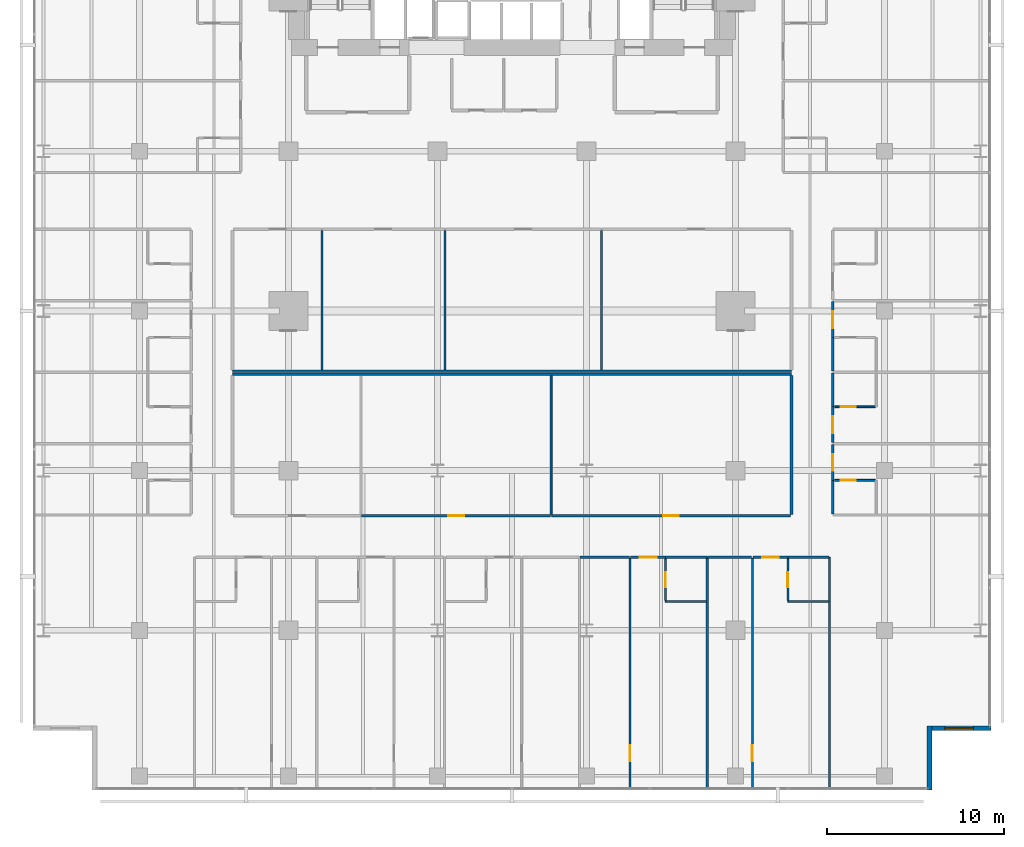
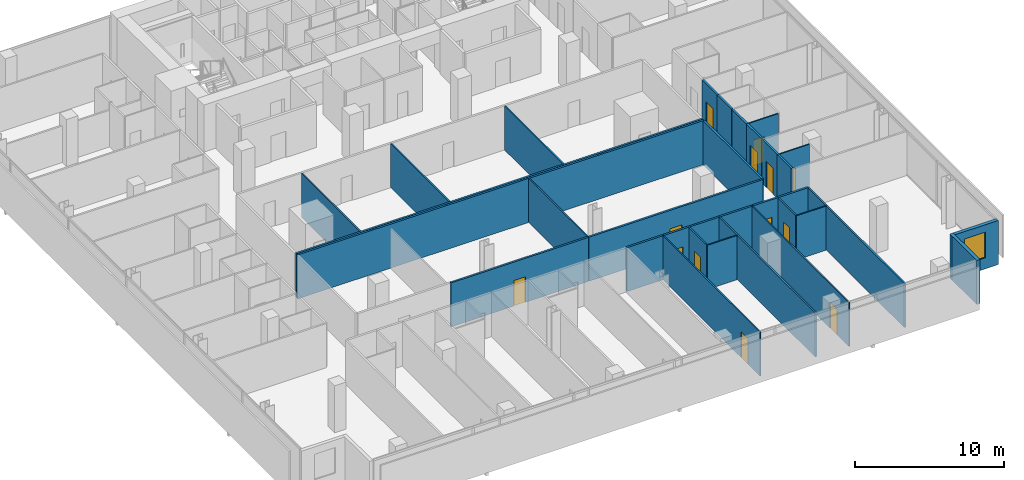
# One storey, part 34 of 41: 33 walls, 13 doors, 1 window, 14 openings.
"""IFC4 building model written with IfcOpenShell, lengths in metres."""

from ifc_helpers import new_model, si_unit, direction, frame, frame_2d, origin, place, context, subcontext, project, spatial, rectangle, extrude, material, layer, layer_set, type_object, element, fill, save


model = new_model("IFC4")

# Units and contexts
model_context = context("Model", 3, precision=1e-05, world=origin(), true_north=direction((0.0, 1.0)))
body_context = subcontext(model_context, "Body", "Model", "MODEL_VIEW")
ifc_project = project(units=[si_unit("LENGTHUNIT", "METRE"), si_unit("AREAUNIT", "SQUARE_METRE"), si_unit("VOLUMEUNIT", "CUBIC_METRE"), si_unit("PLANEANGLEUNIT", "RADIAN"), si_unit("MASSUNIT", "GRAM", prefix="KILO")], contexts=[model_context])

# Site, building, storey
site_placement = place(None, origin())
site = spatial("IfcSite", under=ifc_project, at=site_placement, CompositionType="ELEMENT")
building_placement = place(site_placement, origin())
building = spatial("IfcBuilding", under=site, at=building_placement, Name="Maruvema Waterfront Hotel and Observation Tower", CompositionType="ELEMENT")
storey_placement = place(building_placement, frame((0.0, 0.0, 84.699951171875)))
storey = spatial("IfcBuildingStorey", under=building, at=storey_placement, Name="L20", CompositionType="ELEMENT", Elevation=84.699951171875)

# Walls
ifc_material_1 = material(Name="Twin-stud acoustic gypsum drywall", Category="gypsum")
ifc_layer_1 = layer(ifc_material_1, 0.14990234375, Name="Acoustic Corridor and Suite Demising Wall 150 mm")
ifc_layer_set_1 = layer_set([ifc_layer_1], Name="Twin-stud acoustic gypsum drywall")
wall_type_1 = type_object("IfcWallType", Name="Acoustic Corridor and Suite Demising Wall 150 mm", PredefinedType="PARTITIONING", material=ifc_layer_set_1)
for number, where, z_axis, x_axis, name in (
    (1, (22.050048828125, 23.60009765625, 0.0), (0.0, 0.0, 1.0), (1.0, 0.0, 0.0), "L20 L20-INTN Back Wall 022"),
    (2, (22.050048828125, 23.43994140625, 0.0), (0.0, 0.0, 1.0), (1.0, 0.0, 0.0), "L20 L20-INTS Back Wall 032"),
):
    element("IfcWall", number, at=place(storey_placement, frame(where, z_axis=z_axis, x_axis=x_axis)), inside=storey, type_object=wall_type_1, Name=name, PredefinedType="PARTITIONING", context=body_context, shape_type="SweptSolid", body=[
        extrude(rectangle(XDim=31.5, YDim=0.14990234375, at=frame_2d((15.75, 0.0))), origin(), (0.0, 0.0, 1.0), 3.610107421875),
    ])
wall_1_placement = place(storey_placement, frame((53.550048828125, 15.530029296875, 0.0), z_axis=(0.0, 0.0, 1.0), x_axis=(0.0, 1.0, 0.0)))
element("IfcWall", 3, at=wall_1_placement, inside=storey, type_object=wall_type_1, Name="L20 L20-INTS East Wall 034", PredefinedType="PARTITIONING", context=body_context, shape_type="SweptSolid", body=[
    extrude(rectangle(XDim=7.830078125, YDim=0.14990234375, at=frame_2d((3.9150390625, 0.0))), origin(), (0.0, 0.0, 1.0), 3.610107421875),
])

# Wall, opening, door
wall_2_placement = place(storey_placement, frame((29.324951171875, 15.449951171875, 0.0), z_axis=(0.0, 0.0, 1.0), x_axis=(1.0, 0.0, 0.0)))
wall_2 = element("IfcWall", 4, at=wall_2_placement, inside=storey, type_object=wall_type_1, Name="L20 L20-INTS Front 2 037", PredefinedType="PARTITIONING", context=body_context, shape_type="SweptSolid", body=[
    extrude(rectangle(XDim=10.650146484375, YDim=0.14990234375, at=frame_2d((5.3251953125, 0.0))), origin(), (0.0, 0.0, 1.0), 3.610107421875),
])
opening_1_placement = place(wall_2_placement, frame((4.875, 0.0, 0.0)))
opening_1 = element("IfcOpeningElement", 5, at=opening_1_placement, cuts=wall_2, Name="Opening DR-090", PredefinedType="OPENING", context=body_context, shape_type="SweptSolid", body=[
    extrude(rectangle(XDim=0.89990234375, YDim=2.10009765625, at=frame_2d((0.449951171875, 1.050048828125))), frame((0.0, 0.0849609375, 0.0), z_axis=(0.0, -1.0, 0.0), x_axis=(1.0, 0.0, 0.0)), (0.0, 0.0, 1.0), 0.169921875),
])
ifc_material_2 = material(Name="Solid-core lacquered timber leaf", Category="wood")
door_type_1 = type_object("IfcDoorType", Name="Accessible Toilet and Room Door 900x2100 mm", OperationType="NOTDEFINED", PredefinedType="DOOR", material=ifc_material_2)
door_1_placement = place(opening_1_placement, frame((0.89990234375, 0.0, 0.0), z_axis=(0.0, 0.0, 1.0), x_axis=(-1.0, 0.0, 0.0)))
door_1 = element("IfcDoor", 6, at=door_1_placement, inside=storey, type_object=door_type_1, Name="L20 Tea Kitchenette Door", OperationType="SINGLE_SWING_LEFT", OverallHeight=2.10009765625, OverallWidth=0.89990234375, PredefinedType="DOOR", context=body_context, shape_type="SweptSolid", body=[
    extrude(rectangle(XDim=0.89990234375, YDim=2.10009765625, at=frame_2d((0.449951171875, 1.050048828125))), frame((0.0, 0.02490234375, 0.0), z_axis=(0.0, -1.0, 0.0), x_axis=(1.0, 0.0, 0.0)), (0.0, 0.0, 1.0), 0.050048828125),
])
fill(opening_1, door_1)

wall_3_placement = place(storey_placement, frame((40.034912109375, 15.449951171875, 0.0), z_axis=(0.0, 0.0, 1.0), x_axis=(1.0, 0.0, 0.0)))
wall_3 = element("IfcWall", 7, at=wall_3_placement, inside=storey, type_object=wall_type_1, Name="L20 L20-INTS Front 3 039", PredefinedType="PARTITIONING", context=body_context, shape_type="SweptSolid", body=[
    extrude(rectangle(XDim=13.455078125, YDim=0.14990234375, at=frame_2d((6.7275390625, 0.0))), origin(), (0.0, 0.0, 1.0), 3.610107421875),
])
opening_2_placement = place(wall_3_placement, frame((6.277587890625, 0.0, 0.0)))
opening_2 = element("IfcOpeningElement", 8, at=opening_2_placement, cuts=wall_3, Name="Opening DR-090", PredefinedType="OPENING", context=body_context, shape_type="SweptSolid", body=[
    extrude(rectangle(XDim=0.89990234375, YDim=2.10009765625, at=frame_2d((0.449951171875, 1.050048828125))), frame((0.0, 0.0849609375, 0.0), z_axis=(0.0, -1.0, 0.0), x_axis=(1.0, 0.0, 0.0)), (0.0, 0.0, 1.0), 0.169921875),
])
door_2_placement = place(opening_2_placement, frame((0.89990234375, 0.0, 0.0), z_axis=(0.0, 0.0, 1.0), x_axis=(-1.0, 0.0, 0.0)))
door_2 = element("IfcDoor", 9, at=door_2_placement, inside=storey, type_object=door_type_1, Name="L20 Housekeeping Linen Room Door", OperationType="SINGLE_SWING_RIGHT", OverallHeight=2.10009765625, OverallWidth=0.89990234375, PredefinedType="DOOR", context=body_context, shape_type="SweptSolid", body=[
    extrude(rectangle(XDim=0.89990234375, YDim=2.10009765625, at=frame_2d((0.449951171875, 1.050048828125))), frame((0.0, 0.02490234375, 0.0), z_axis=(0.0, -1.0, 0.0), x_axis=(1.0, 0.0, 0.0)), (0.0, 0.0, 1.0), 0.050048828125),
])
fill(opening_2, door_2)

# Walls
wall_4_placement = place(storey_placement, frame((46.449951171875, 13.1201171875, 0.0), z_axis=(0.0, 0.0, 1.0), x_axis=(1.0, 0.0, 0.0)))
element("IfcWall", 10, at=wall_4_placement, inside=storey, type_object=wall_type_1, Name="L20 Bath L20-S4 Back Wall 063", PredefinedType="PARTITIONING", context=body_context, shape_type="SweptSolid", body=[
    extrude(rectangle(XDim=2.330078125, YDim=0.14990234375, at=frame_2d((1.1650390625, 0.0))), origin(), (0.0, 0.0, 1.0), 3.610107421875),
])
wall_5_placement = place(storey_placement, frame((41.6201171875, 13.1201171875, 0.0), z_axis=(0.0, 0.0, 1.0), x_axis=(1.0, 0.0, 0.0)))
element("IfcWall", 11, at=wall_5_placement, inside=storey, type_object=wall_type_1, Name="L20 Bedroom L20-S4 Back Wall 066", PredefinedType="PARTITIONING", context=body_context, shape_type="SweptSolid", body=[
    extrude(rectangle(XDim=2.789794921875, YDim=0.14990234375, at=frame_2d((1.39501953125, 0.0))), origin(), (0.0, 0.0, 1.0), 3.610107421875),
])

# Wall, opening, door
wall_6_placement = place(storey_placement, frame((44.489990234375, 13.1201171875, 0.0), z_axis=(0.0, 0.0, 1.0), x_axis=(1.0, 0.0, 0.0)))
wall_6 = element("IfcWall", 12, at=wall_6_placement, inside=storey, type_object=wall_type_1, Name="L20 Unit L20-S4 Corridor Wall 067", PredefinedType="PARTITIONING", context=body_context, shape_type="SweptSolid", body=[
    extrude(rectangle(XDim=1.9599609375, YDim=0.14990234375, at=frame_2d((0.97998046875, 0.0))), origin(), (0.0, 0.0, 1.0), 3.610107421875),
])
opening_3_placement = place(wall_6_placement, frame((0.5048828125, 0.0, 0.0)))
opening_3 = element("IfcOpeningElement", 13, at=opening_3_placement, cuts=wall_6, Name="Opening DR-095", PredefinedType="OPENING", context=body_context, shape_type="SweptSolid", body=[
    extrude(rectangle(XDim=0.949951171875, YDim=2.14990234375, at=frame_2d((0.47509765625, 1.074951171875))), frame((0.0, 0.0849609375, 0.0), z_axis=(0.0, -1.0, 0.0), x_axis=(1.0, 0.0, 0.0)), (0.0, 0.0, 1.0), 0.169921875),
])
ifc_material_3 = material(Name="Acoustic solid-core hardwood timber leaf", Category="wood")
door_type_2 = type_object("IfcDoorType", Name="Guestroom Entrance Fire Door 950x2150 mm", OperationType="NOTDEFINED", PredefinedType="DOOR", material=ifc_material_3)
door_3_placement = place(opening_3_placement, frame((0.949951171875, 0.0, 0.0), z_axis=(0.0, 0.0, 1.0), x_axis=(-1.0, 0.0, 0.0)))
door_3 = element("IfcDoor", 14, at=door_3_placement, inside=storey, type_object=door_type_2, Name="L20 Unit L20-S4 Entrance Door", OperationType="SINGLE_SWING_LEFT", OverallHeight=2.14990234375, OverallWidth=0.949951171875, PredefinedType="DOOR", context=body_context, shape_type="SweptSolid", body=[
    extrude(rectangle(XDim=0.949951171875, YDim=2.14990234375, at=frame_2d((0.47509765625, 1.074951171875))), frame((0.0, 0.02490234375, 0.0), z_axis=(0.0, -1.0, 0.0), x_axis=(1.0, 0.0, 0.0)), (0.0, 0.0, 1.0), 0.050048828125),
])
fill(opening_3, door_3)

# Walls
wall_7_placement = place(storey_placement, frame((53.35009765625, 13.1201171875, 0.0), z_axis=(0.0, 0.0, 1.0), x_axis=(1.0, 0.0, 0.0)))
element("IfcWall", 15, at=wall_7_placement, inside=storey, type_object=wall_type_1, Name="L20 Bath L20-S5 Back Wall 070", PredefinedType="PARTITIONING", context=body_context, shape_type="SweptSolid", body=[
    extrude(rectangle(XDim=2.329833984375, YDim=0.14990234375, at=frame_2d((1.1650390625, 0.0))), origin(), (0.0, 0.0, 1.0), 3.610107421875),
])
wall_8_placement = place(storey_placement, frame((48.820068359375, 13.1201171875, 0.0), z_axis=(0.0, 0.0, 1.0), x_axis=(1.0, 0.0, 0.0)))
element("IfcWall", 16, at=wall_8_placement, inside=storey, type_object=wall_type_1, Name="L20 Bedroom L20-S5 Back Wall 073", PredefinedType="PARTITIONING", context=body_context, shape_type="SweptSolid", body=[
    extrude(rectangle(XDim=2.489990234375, YDim=0.14990234375, at=frame_2d((1.2451171875, 0.0))), origin(), (0.0, 0.0, 1.0), 3.610107421875),
])

# Wall, opening, door
wall_9_placement = place(storey_placement, frame((51.389892578125, 13.1201171875, 0.0), z_axis=(0.0, 0.0, 1.0), x_axis=(1.0, 0.0, 0.0)))
wall_9 = element("IfcWall", 17, at=wall_9_placement, inside=storey, type_object=wall_type_1, Name="L20 Unit L20-S5 Corridor Wall 074", PredefinedType="PARTITIONING", context=body_context, shape_type="SweptSolid", body=[
    extrude(rectangle(XDim=1.960205078125, YDim=0.14990234375, at=frame_2d((0.97998046875, 0.0))), origin(), (0.0, 0.0, 1.0), 3.610107421875),
])
opening_4_placement = place(wall_9_placement, frame((0.5048828125, 0.0, 0.0)))
opening_4 = element("IfcOpeningElement", 18, at=opening_4_placement, cuts=wall_9, Name="Opening DR-095", PredefinedType="OPENING", context=body_context, shape_type="SweptSolid", body=[
    extrude(rectangle(XDim=0.949951171875, YDim=2.14990234375, at=frame_2d((0.47509765625, 1.074951171875))), frame((0.0, 0.0849609375, 0.0), z_axis=(0.0, -1.0, 0.0), x_axis=(1.0, 0.0, 0.0)), (0.0, 0.0, 1.0), 0.169921875),
])
door_4_placement = place(opening_4_placement, frame((0.949951171875, 0.0, 0.0), z_axis=(0.0, 0.0, 1.0), x_axis=(-1.0, 0.0, 0.0)))
door_4 = element("IfcDoor", 19, at=door_4_placement, inside=storey, type_object=door_type_2, Name="L20 Unit L20-S5 Entrance Door", OperationType="SINGLE_SWING_RIGHT", OverallHeight=2.14990234375, OverallWidth=0.949951171875, PredefinedType="DOOR", context=body_context, shape_type="SweptSolid", body=[
    extrude(rectangle(XDim=0.949951171875, YDim=2.14990234375, at=frame_2d((0.47509765625, 1.074951171875))), frame((0.0, 0.02490234375, 0.0), z_axis=(0.0, -1.0, 0.0), x_axis=(1.0, 0.0, 0.0)), (0.0, 0.0, 1.0), 0.050048828125),
])
fill(opening_4, door_4)

# Wall
wall_10_placement = place(storey_placement, frame((55.8798828125, 15.56005859375, 0.0), z_axis=(0.0, 0.0, 1.0), x_axis=(0.0, 1.0, 0.0)))
element("IfcWall", 20, at=wall_10_placement, inside=storey, type_object=wall_type_1, Name="L20 Bath L20-E1 Wall 084", PredefinedType="PARTITIONING", context=body_context, shape_type="SweptSolid", body=[
    extrude(rectangle(XDim=1.889892578125, YDim=0.14990234375, at=frame_2d((0.94482421875, 0.0))), origin(), (0.0, 0.0, 1.0), 3.610107421875),
])

# Wall, opening, door
wall_11_placement = place(storey_placement, frame((55.8798828125, 17.449951171875, 0.0), z_axis=(0.0, 0.0, 1.0), x_axis=(0.0, 1.0, 0.0)))
wall_11 = element("IfcWall", 21, at=wall_11_placement, inside=storey, type_object=wall_type_1, Name="L20 Room L20-E1 Corridor Wall 085", PredefinedType="PARTITIONING", context=body_context, shape_type="SweptSolid", body=[
    extrude(rectangle(XDim=2.010009765625, YDim=0.14990234375, at=frame_2d((1.0048828125, 0.0))), origin(), (0.0, 0.0, 1.0), 3.610107421875),
])
opening_5_placement = place(wall_11_placement, frame((0.530029296875, 0.0, 0.0)))
opening_5 = element("IfcOpeningElement", 22, at=opening_5_placement, cuts=wall_11, Name="Opening DR-095", PredefinedType="OPENING", context=body_context, shape_type="SweptSolid", body=[
    extrude(rectangle(XDim=0.949951171875, YDim=2.14990234375, at=frame_2d((0.47509765625, 1.074951171875))), frame((0.0, 0.0849609375, 0.0), z_axis=(0.0, -1.0, 0.0), x_axis=(1.0, 0.0, 0.0)), (0.0, 0.0, 1.0), 0.169921875),
])
door_5_placement = place(opening_5_placement, frame((0.949951171875, 0.0, 0.0), z_axis=(0.0, 0.0, 1.0), x_axis=(-1.0, 0.0, 0.0)))
door_5 = element("IfcDoor", 23, at=door_5_placement, inside=storey, type_object=door_type_2, Name="L20 Room L20-E1 Entrance Door", OperationType="SINGLE_SWING_LEFT", OverallHeight=2.14990234375, OverallWidth=0.949951171875, PredefinedType="DOOR", context=body_context, shape_type="SweptSolid", body=[
    extrude(rectangle(XDim=0.949951171875, YDim=2.14990234375, at=frame_2d((0.47509765625, 1.074951171875))), frame((0.0, 0.02490234375, 0.0), z_axis=(0.0, -1.0, 0.0), x_axis=(1.0, 0.0, 0.0)), (0.0, 0.0, 1.0), 0.050048828125),
])
fill(opening_5, door_5)

wall_12_placement = place(storey_placement, frame((55.8798828125, 19.580078125, 0.0), z_axis=(0.0, 0.0, 1.0), x_axis=(0.0, 1.0, 0.0)))
wall_12 = element("IfcWall", 24, at=wall_12_placement, inside=storey, type_object=wall_type_1, Name="L20 Room L20-E2 Corridor Wall 094", PredefinedType="PARTITIONING", context=body_context, shape_type="SweptSolid", body=[
    extrude(rectangle(XDim=2.02001953125, YDim=0.14990234375, at=frame_2d((1.010009765625, 0.0))), origin(), (0.0, 0.0, 1.0), 3.610107421875),
])
opening_6_placement = place(wall_12_placement, frame((0.534912109375, 0.0, 0.0)))
opening_6 = element("IfcOpeningElement", 25, at=opening_6_placement, cuts=wall_12, Name="Opening DR-095", PredefinedType="OPENING", context=body_context, shape_type="SweptSolid", body=[
    extrude(rectangle(XDim=0.949951171875, YDim=2.14990234375, at=frame_2d((0.47509765625, 1.074951171875))), frame((0.0, 0.0849609375, 0.0), z_axis=(0.0, -1.0, 0.0), x_axis=(1.0, 0.0, 0.0)), (0.0, 0.0, 1.0), 0.169921875),
])
door_6_placement = place(opening_6_placement, frame((0.949951171875, 0.0, 0.0), z_axis=(0.0, 0.0, 1.0), x_axis=(-1.0, 0.0, 0.0)))
door_6 = element("IfcDoor", 26, at=door_6_placement, inside=storey, type_object=door_type_2, Name="L20 Room L20-E2 Entrance Door", OperationType="SINGLE_SWING_LEFT", OverallHeight=2.14990234375, OverallWidth=0.949951171875, PredefinedType="DOOR", context=body_context, shape_type="SweptSolid", body=[
    extrude(rectangle(XDim=0.949951171875, YDim=2.14990234375, at=frame_2d((0.47509765625, 1.074951171875))), frame((0.0, 0.02490234375, 0.0), z_axis=(0.0, -1.0, 0.0), x_axis=(1.0, 0.0, 0.0)), (0.0, 0.0, 1.0), 0.050048828125),
])
fill(opening_6, door_6)

# Walls
for number, where, z_axis, x_axis, name in (
    (27, (55.8798828125, 21.60009765625, 0.0), (0.0, 0.0, 1.0), (0.0, 1.0, 0.0), "L20 Bath L20-E2 Wall 095"),
    (28, (55.8798828125, 23.610107421875, 0.0), (0.0, 0.0, 1.0), (0.0, 1.0, 0.0), "L20 Bath L20-E3 Wall 104"),
):
    element("IfcWall", number, at=place(storey_placement, frame(where, z_axis=z_axis, x_axis=x_axis)), inside=storey, type_object=wall_type_1, Name=name, PredefinedType="PARTITIONING", context=body_context, shape_type="SweptSolid", body=[
        extrude(rectangle(XDim=1.889892578125, YDim=0.14990234375, at=frame_2d((0.94482421875, 0.0))), origin(), (0.0, 0.0, 1.0), 3.610107421875),
    ])

# Wall, opening, door
wall_13_placement = place(storey_placement, frame((55.8798828125, 25.5, 0.0), z_axis=(0.0, 0.0, 1.0), x_axis=(0.0, 1.0, 0.0)))
wall_13 = element("IfcWall", 29, at=wall_13_placement, inside=storey, type_object=wall_type_1, Name="L20 Room L20-E3 Corridor Wall 105", PredefinedType="PARTITIONING", context=body_context, shape_type="SweptSolid", body=[
    extrude(rectangle(XDim=2.02001953125, YDim=0.14990234375, at=frame_2d((1.010009765625, 0.0))), origin(), (0.0, 0.0, 1.0), 3.610107421875),
])
opening_7_placement = place(wall_13_placement, frame((0.534912109375, 0.0, 0.0)))
opening_7 = element("IfcOpeningElement", 30, at=opening_7_placement, cuts=wall_13, Name="Opening DR-095", PredefinedType="OPENING", context=body_context, shape_type="SweptSolid", body=[
    extrude(rectangle(XDim=0.949951171875, YDim=2.14990234375, at=frame_2d((0.47509765625, 1.074951171875))), frame((0.0, 0.0849609375, 0.0), z_axis=(0.0, -1.0, 0.0), x_axis=(1.0, 0.0, 0.0)), (0.0, 0.0, 1.0), 0.169921875),
])
door_7_placement = place(opening_7_placement, frame((0.949951171875, 0.0, 0.0), z_axis=(0.0, 0.0, 1.0), x_axis=(-1.0, 0.0, 0.0)))
door_7 = element("IfcDoor", 31, at=door_7_placement, inside=storey, type_object=door_type_2, Name="L20 Room L20-E3 Entrance Door", OperationType="SINGLE_SWING_LEFT", OverallHeight=2.14990234375, OverallWidth=0.949951171875, PredefinedType="DOOR", context=body_context, shape_type="SweptSolid", body=[
    extrude(rectangle(XDim=0.949951171875, YDim=2.14990234375, at=frame_2d((0.47509765625, 1.074951171875))), frame((0.0, 0.02490234375, 0.0), z_axis=(0.0, -1.0, 0.0), x_axis=(1.0, 0.0, 0.0)), (0.0, 0.0, 1.0), 0.050048828125),
])
fill(opening_7, door_7)

# Walls
ifc_material_4 = material(Name="Moisture-resistant cement-board drywall", Category="gypsum")
ifc_layer_2 = layer(ifc_material_4, 0.10009765625, Name="En-Suite Moisture-Resistant Partition 100 mm")
ifc_layer_set_2 = layer_set([ifc_layer_2], Name="Moisture-resistant cement-board drywall")
wall_type_2 = type_object("IfcWallType", Name="En-Suite Moisture-Resistant Partition 100 mm", PredefinedType="PARTITIONING", material=ifc_layer_set_2)
for number, where, z_axis, x_axis, name in (
    (32, (27.090087890625, 23.679931640625, 0.0), (0.0, 0.0, 1.0), (0.0, 1.0, 0.0), "L20 L20-INTN Split 1 026"),
    (33, (34.02001953125, 23.679931640625, 0.0), (0.0, 0.0, 1.0), (0.0, 1.0, 0.0), "L20 L20-INTN Split 2 028"),
    (34, (42.840087890625, 23.679931640625, 0.0), (0.0, 0.0, 1.0), (0.0, 1.0, 0.0), "L20 L20-INTN Split 3 030"),
):
    element("IfcWall", number, at=place(storey_placement, frame(where, z_axis=z_axis, x_axis=x_axis)), inside=storey, type_object=wall_type_2, Name=name, PredefinedType="PARTITIONING", context=body_context, shape_type="SweptSolid", body=[
        extrude(rectangle(XDim=7.840087890625, YDim=0.10009765625, at=frame_2d((3.919921875, 0.0))), origin(), (0.0, 0.0, 1.0), 3.610107421875),
    ])
wall_14_placement = place(storey_placement, frame((40.0048828125, 15.530029296875, 0.0), z_axis=(0.0, 0.0, 1.0), x_axis=(0.0, 1.0, 0.0)))
element("IfcWall", 35, at=wall_14_placement, inside=storey, type_object=wall_type_2, Name="L20 L20-INTS Split 2 038", PredefinedType="PARTITIONING", context=body_context, shape_type="SweptSolid", body=[
    extrude(rectangle(XDim=7.830078125, YDim=0.10009765625, at=frame_2d((3.9150390625, 0.0))), origin(), (0.0, 0.0, 1.0), 3.610107421875),
])
wall_15_placement = place(storey_placement, frame((46.449951171875, 10.6201171875, 0.0), z_axis=(0.0, 0.0, 1.0), x_axis=(1.0, 0.0, 0.0)))
element("IfcWall", 36, at=wall_15_placement, inside=storey, type_object=wall_type_2, Name="L20 En-Suite L20-S4 South 064", PredefinedType="PARTITIONING", context=body_context, shape_type="SweptSolid", body=[
    extrude(rectangle(XDim=2.31005859375, YDim=0.10009765625, at=frame_2d((1.155029296875, 0.0))), origin(), (0.0, 0.0, 1.0), 3.610107421875),
])

# Wall, opening, door
wall_16_placement = place(storey_placement, frame((46.449951171875, 10.679931640625, 0.0), z_axis=(0.0, 0.0, 1.0), x_axis=(0.0, 1.0, 0.0)))
wall_16 = element("IfcWall", 37, at=wall_16_placement, inside=storey, type_object=wall_type_2, Name="L20 En-Suite L20-S4 West 065", PredefinedType="PARTITIONING", context=body_context, shape_type="SweptSolid", body=[
    extrude(rectangle(XDim=2.340087890625, YDim=0.10009765625, at=frame_2d((1.169921875, 0.0))), origin(), (0.0, 0.0, 1.0), 3.610107421875),
])
opening_8_placement = place(wall_16_placement, frame((0.7451171875, 0.0, 0.0)))
opening_8 = element("IfcOpeningElement", 38, at=opening_8_placement, cuts=wall_16, Name="Opening DR-085", PredefinedType="OPENING", context=body_context, shape_type="SweptSolid", body=[
    extrude(rectangle(XDim=0.85009765625, YDim=2.10009765625, at=frame_2d((0.425048828125, 1.050048828125))), frame((0.0, 0.06005859375, 0.0), z_axis=(0.0, -1.0, 0.0), x_axis=(1.0, 0.0, 0.0)), (0.0, 0.0, 1.0), 0.1201171875),
])
ifc_material_5 = material(Name="Moisture-resistant solid timber leaf", Category="wood")
door_type_3 = type_object("IfcDoorType", Name="En-Suite Bathroom Door 850x2100 mm", OperationType="NOTDEFINED", PredefinedType="DOOR", material=ifc_material_5)
door_8_placement = place(opening_8_placement, origin())
door_8 = element("IfcDoor", 39, at=door_8_placement, inside=storey, type_object=door_type_3, Name="L20 En-Suite L20-S4 Door", OperationType="SINGLE_SWING_RIGHT", OverallHeight=2.10009765625, OverallWidth=0.85009765625, PredefinedType="DOOR", context=body_context, shape_type="SweptSolid", body=[
    extrude(rectangle(XDim=0.85009765625, YDim=2.10009765625, at=frame_2d((0.425048828125, 1.050048828125))), frame((0.0, 0.02490234375, 0.0), z_axis=(0.0, -1.0, 0.0), x_axis=(1.0, 0.0, 0.0)), (0.0, 0.0, 1.0), 0.050048828125),
])
fill(opening_8, door_8)

wall_17_placement = place(storey_placement, frame((44.449951171875, 0.030029296875, 0.0), z_axis=(0.0, 0.0, 1.0), x_axis=(0.0, 1.0, 0.0)))
wall_17 = element("IfcWall", 40, at=wall_17_placement, inside=storey, type_object=wall_type_2, Name="L20 Suite L20-S4 Split 068", PredefinedType="PARTITIONING", context=body_context, shape_type="SweptSolid", body=[
    extrude(rectangle(XDim=13.030029296875, YDim=0.10009765625, at=frame_2d((6.51513671875, 0.0))), origin(), (0.0, 0.0, 1.0), 3.610107421875),
])
opening_9_placement = place(wall_17_placement, frame((1.60009765625, 0.0, 0.0)))
opening_9 = element("IfcOpeningElement", 41, at=opening_9_placement, cuts=wall_17, Name="Opening DR-090", PredefinedType="OPENING", context=body_context, shape_type="SweptSolid", body=[
    extrude(rectangle(XDim=0.89990234375, YDim=2.10009765625, at=frame_2d((0.449951171875, 1.050048828125))), frame((0.0, 0.06005859375, 0.0), z_axis=(0.0, -1.0, 0.0), x_axis=(1.0, 0.0, 0.0)), (0.0, 0.0, 1.0), 0.1201171875),
])
door_9_placement = place(opening_9_placement, frame((0.89990234375, 0.0, 0.0), z_axis=(0.0, 0.0, 1.0), x_axis=(-1.0, 0.0, 0.0)))
door_9 = element("IfcDoor", 42, at=door_9_placement, inside=storey, type_object=door_type_1, Name="L20 Suite L20-S4 Bedroom Door", OperationType="SINGLE_SWING_RIGHT", OverallHeight=2.10009765625, OverallWidth=0.89990234375, PredefinedType="DOOR", context=body_context, shape_type="SweptSolid", body=[
    extrude(rectangle(XDim=0.89990234375, YDim=2.10009765625, at=frame_2d((0.449951171875, 1.050048828125))), frame((0.0, 0.02490234375, 0.0), z_axis=(0.0, -1.0, 0.0), x_axis=(1.0, 0.0, 0.0)), (0.0, 0.0, 1.0), 0.050048828125),
])
fill(opening_9, door_9)

# Wall
wall_18_placement = place(storey_placement, frame((53.35009765625, 10.6201171875, 0.0), z_axis=(0.0, 0.0, 1.0), x_axis=(1.0, 0.0, 0.0)))
element("IfcWall", 43, at=wall_18_placement, inside=storey, type_object=wall_type_2, Name="L20 En-Suite L20-S5 South 071", PredefinedType="PARTITIONING", context=body_context, shape_type="SweptSolid", body=[
    extrude(rectangle(XDim=2.309814453125, YDim=0.10009765625, at=frame_2d((1.15478515625, 0.0))), origin(), (0.0, 0.0, 1.0), 3.610107421875),
])

# Wall, opening, door
wall_19_placement = place(storey_placement, frame((53.35009765625, 10.679931640625, 0.0), z_axis=(0.0, 0.0, 1.0), x_axis=(0.0, 1.0, 0.0)))
wall_19 = element("IfcWall", 44, at=wall_19_placement, inside=storey, type_object=wall_type_2, Name="L20 En-Suite L20-S5 West 072", PredefinedType="PARTITIONING", context=body_context, shape_type="SweptSolid", body=[
    extrude(rectangle(XDim=2.340087890625, YDim=0.10009765625, at=frame_2d((1.169921875, 0.0))), origin(), (0.0, 0.0, 1.0), 3.610107421875),
])
opening_10_placement = place(wall_19_placement, frame((0.7451171875, 0.0, 0.0)))
opening_10 = element("IfcOpeningElement", 45, at=opening_10_placement, cuts=wall_19, Name="Opening DR-085", PredefinedType="OPENING", context=body_context, shape_type="SweptSolid", body=[
    extrude(rectangle(XDim=0.85009765625, YDim=2.10009765625, at=frame_2d((0.425048828125, 1.050048828125))), frame((0.0, 0.06005859375, 0.0), z_axis=(0.0, -1.0, 0.0), x_axis=(1.0, 0.0, 0.0)), (0.0, 0.0, 1.0), 0.1201171875),
])
door_10_placement = place(opening_10_placement, origin())
door_10 = element("IfcDoor", 46, at=door_10_placement, inside=storey, type_object=door_type_3, Name="L20 En-Suite L20-S5 Door", OperationType="SINGLE_SWING_LEFT", OverallHeight=2.10009765625, OverallWidth=0.85009765625, PredefinedType="DOOR", context=body_context, shape_type="SweptSolid", body=[
    extrude(rectangle(XDim=0.85009765625, YDim=2.10009765625, at=frame_2d((0.425048828125, 1.050048828125))), frame((0.0, 0.02490234375, 0.0), z_axis=(0.0, -1.0, 0.0), x_axis=(1.0, 0.0, 0.0)), (0.0, 0.0, 1.0), 0.050048828125),
])
fill(opening_10, door_10)

wall_20_placement = place(storey_placement, frame((51.35009765625, 0.030029296875, 0.0), z_axis=(0.0, 0.0, 1.0), x_axis=(0.0, 1.0, 0.0)))
wall_20 = element("IfcWall", 47, at=wall_20_placement, inside=storey, type_object=wall_type_2, Name="L20 Suite L20-S5 Split 075", PredefinedType="PARTITIONING", context=body_context, shape_type="SweptSolid", body=[
    extrude(rectangle(XDim=13.030029296875, YDim=0.10009765625, at=frame_2d((6.51513671875, 0.0))), origin(), (0.0, 0.0, 1.0), 3.610107421875),
])
opening_11_placement = place(wall_20_placement, frame((1.60009765625, 0.0, 0.0)))
opening_11 = element("IfcOpeningElement", 48, at=opening_11_placement, cuts=wall_20, Name="Opening DR-090", PredefinedType="OPENING", context=body_context, shape_type="SweptSolid", body=[
    extrude(rectangle(XDim=0.89990234375, YDim=2.10009765625, at=frame_2d((0.449951171875, 1.050048828125))), frame((0.0, 0.06005859375, 0.0), z_axis=(0.0, -1.0, 0.0), x_axis=(1.0, 0.0, 0.0)), (0.0, 0.0, 1.0), 0.1201171875),
])
door_11_placement = place(opening_11_placement, frame((0.89990234375, 0.0, 0.0), z_axis=(0.0, 0.0, 1.0), x_axis=(-1.0, 0.0, 0.0)))
door_11 = element("IfcDoor", 49, at=door_11_placement, inside=storey, type_object=door_type_1, Name="L20 Suite L20-S5 Bedroom Door", OperationType="SINGLE_SWING_LEFT", OverallHeight=2.10009765625, OverallWidth=0.89990234375, PredefinedType="DOOR", context=body_context, shape_type="SweptSolid", body=[
    extrude(rectangle(XDim=0.89990234375, YDim=2.10009765625, at=frame_2d((0.449951171875, 1.050048828125))), frame((0.0, 0.02490234375, 0.0), z_axis=(0.0, -1.0, 0.0), x_axis=(1.0, 0.0, 0.0)), (0.0, 0.0, 1.0), 0.050048828125),
])
fill(opening_11, door_11)

wall_21_placement = place(storey_placement, frame((55.97998046875, 17.449951171875, 0.0), z_axis=(0.0, 0.0, 1.0), x_axis=(1.0, 0.0, 0.0)))
wall_21 = element("IfcWall", 50, at=wall_21_placement, inside=storey, type_object=wall_type_2, Name="L20 En-Suite L20-E1 N 087", PredefinedType="PARTITIONING", context=body_context, shape_type="SweptSolid", body=[
    extrude(rectangle(XDim=2.300048828125, YDim=0.10009765625, at=frame_2d((1.14990234375, 0.0))), origin(), (0.0, 0.0, 1.0), 3.610107421875),
])
opening_12_placement = place(wall_21_placement, frame((0.35009765625, 0.0, 0.0)))
opening_12 = element("IfcOpeningElement", 51, at=opening_12_placement, cuts=wall_21, Name="Opening DR-085", PredefinedType="OPENING", context=body_context, shape_type="SweptSolid", body=[
    extrude(rectangle(XDim=0.85009765625, YDim=2.10009765625, at=frame_2d((0.425048828125, 1.050048828125))), frame((0.0, 0.06005859375, 0.0), z_axis=(0.0, -1.0, 0.0), x_axis=(1.0, 0.0, 0.0)), (0.0, 0.0, 1.0), 0.1201171875),
])
door_12_placement = place(opening_12_placement, origin())
door_12 = element("IfcDoor", 52, at=door_12_placement, inside=storey, type_object=door_type_3, Name="L20 En-Suite L20-E1 Door", OperationType="SINGLE_SWING_RIGHT", OverallHeight=2.10009765625, OverallWidth=0.85009765625, PredefinedType="DOOR", context=body_context, shape_type="SweptSolid", body=[
    extrude(rectangle(XDim=0.85009765625, YDim=2.10009765625, at=frame_2d((0.425048828125, 1.050048828125))), frame((0.0, 0.02490234375, 0.0), z_axis=(0.0, -1.0, 0.0), x_axis=(1.0, 0.0, 0.0)), (0.0, 0.0, 1.0), 0.050048828125),
])
fill(opening_12, door_12)

wall_22_placement = place(storey_placement, frame((55.97998046875, 21.60009765625, 0.0), z_axis=(0.0, 0.0, 1.0), x_axis=(1.0, 0.0, 0.0)))
wall_22 = element("IfcWall", 53, at=wall_22_placement, inside=storey, type_object=wall_type_2, Name="L20 En-Suite L20-E2 S 097", PredefinedType="PARTITIONING", context=body_context, shape_type="SweptSolid", body=[
    extrude(rectangle(XDim=2.300048828125, YDim=0.10009765625, at=frame_2d((1.14990234375, 0.0))), origin(), (0.0, 0.0, 1.0), 3.610107421875),
])
opening_13_placement = place(wall_22_placement, frame((0.35009765625, 0.0, 0.0)))
opening_13 = element("IfcOpeningElement", 54, at=opening_13_placement, cuts=wall_22, Name="Opening DR-085", PredefinedType="OPENING", context=body_context, shape_type="SweptSolid", body=[
    extrude(rectangle(XDim=0.85009765625, YDim=2.10009765625, at=frame_2d((0.425048828125, 1.050048828125))), frame((0.0, 0.06005859375, 0.0), z_axis=(0.0, -1.0, 0.0), x_axis=(1.0, 0.0, 0.0)), (0.0, 0.0, 1.0), 0.1201171875),
])
door_13_placement = place(opening_13_placement, frame((0.85009765625, 0.0, 0.0), z_axis=(0.0, 0.0, 1.0), x_axis=(-1.0, 0.0, 0.0)))
door_13 = element("IfcDoor", 55, at=door_13_placement, inside=storey, type_object=door_type_3, Name="L20 En-Suite L20-E2 Door", OperationType="SINGLE_SWING_RIGHT", OverallHeight=2.10009765625, OverallWidth=0.85009765625, PredefinedType="DOOR", context=body_context, shape_type="SweptSolid", body=[
    extrude(rectangle(XDim=0.85009765625, YDim=2.10009765625, at=frame_2d((0.425048828125, 1.050048828125))), frame((0.0, 0.02490234375, 0.0), z_axis=(0.0, -1.0, 0.0), x_axis=(1.0, 0.0, 0.0)), (0.0, 0.0, 1.0), 0.050048828125),
])
fill(opening_13, door_13)

# Wall
ifc_material_6 = material(Name="Precast concrete C45/55 with honed Pernambuco granite facing", Category="masonry")
ifc_layer_3 = layer(ifc_material_6, 0.260009765625, Name="Exterior Granite Clad Spandrel and Pier Wall 260 mm")
ifc_layer_set_3 = layer_set([ifc_layer_3], Name="Precast concrete C45/55 with honed Pernambuco granite facing")
wall_type_3 = type_object("IfcWallType", Name="Exterior Granite Clad Spandrel and Pier Wall 260 mm", PredefinedType="SOLIDWALL", material=ifc_layer_set_3)
wall_23_placement = place(storey_placement, frame((61.330078125, 3.60009765625, 0.0), z_axis=(0.0, 0.0, 1.0), x_axis=(0.0, -1.0, 0.0)))
element("IfcWall", 56, at=wall_23_placement, inside=storey, type_object=wall_type_3, Name="L20 Corner Notch Granite Pier Wall SE1", PredefinedType="SOLIDWALL", context=body_context, shape_type="SweptSolid", body=[
    extrude(rectangle(XDim=3.60009765625, YDim=0.260009765625, at=frame_2d((1.800048828125, 0.0))), origin(), (0.0, 0.0, 1.0), 3.610107421875),
])

# Wall, opening, window
wall_24_placement = place(storey_placement, frame((64.800048828125, 3.469970703125, 0.0), z_axis=(0.0, 0.0, 1.0), x_axis=(-1.0, 0.0, 0.0)))
wall_24 = element("IfcWall", 57, at=wall_24_placement, inside=storey, type_object=wall_type_3, Name="L20 Corner Notch Granite Pier Wall SE2", PredefinedType="SOLIDWALL", context=body_context, shape_type="SweptSolid", body=[
    extrude(rectangle(XDim=3.60009765625, YDim=0.260009765625, at=frame_2d((1.800048828125, 0.0))), origin(), (0.0, 0.0, 1.0), 3.610107421875),
])
opening_14_placement = place(wall_24_placement, frame((1.0, 0.0, 0.89990234375)))
opening_14 = element("IfcOpeningElement", 58, at=opening_14_placement, cuts=wall_24, Name="Opening WN-01", PredefinedType="OPENING", context=body_context, shape_type="SweptSolid", body=[
    extrude(rectangle(XDim=1.60009765625, YDim=2.10009765625, at=frame_2d((0.800048828125, 1.050048828125))), frame((0.0, 0.14013671875, 0.0), z_axis=(0.0, -1.0, 0.0), x_axis=(1.0, 0.0, 0.0)), (0.0, 0.0, 1.0), 0.280029296875),
])
ifc_material_7 = material(Name="Anodised bronze aluminium frame with laminated low-E glass", Category="aluminium")
window_type = type_object("IfcWindowType", Name="Corner Notch Feature Window 1600x2100 mm", PartitioningType="SINGLE_PANEL", PredefinedType="WINDOW", material=ifc_material_7)
window_placement = place(opening_14_placement, origin())
window = element("IfcWindow", 59, at=window_placement, inside=storey, type_object=window_type, Name="L20 Corner Notch Punched Window SE2", OverallHeight=2.10009765625, OverallWidth=1.60009765625, PartitioningType="SINGLE_PANEL", PredefinedType="WINDOW", context=body_context, shape_type="SweptSolid", body=[
    extrude(rectangle(XDim=1.60009765625, YDim=2.10009765625, at=frame_2d((0.800048828125, 1.050048828125))), frame((0.0, 0.030029296875, 0.0), z_axis=(0.0, -1.0, 0.0), x_axis=(1.0, 0.0, 0.0)), (0.0, 0.0, 1.0), 0.06005859375),
])
fill(opening_14, window)

# Walls
ifc_material_8 = material(Name="Acoustic gypsum plasterboard drywall", Category="gypsum")
ifc_layer_4 = layer(ifc_material_8, 0.125, Name="Guestroom Acoustic Demising Wall 125 mm")
ifc_layer_set_4 = layer_set([ifc_layer_4], Name="Acoustic gypsum plasterboard drywall")
wall_type_4 = type_object("IfcWallType", Name="Guestroom Acoustic Demising Wall 125 mm", PredefinedType="PARTITIONING", material=ifc_layer_set_4)
for number, where, z_axis, x_axis, name in (
    (60, (55.699951171875, 0.10009765625, 0.0), (0.0, 0.0, 1.0), (0.0, 1.0, 0.0), "L20 S East End 041"),
    (61, (48.800048828125, 0.10009765625, 0.0), (0.0, 0.0, 1.0), (0.0, 1.0, 0.0), "L20 S Demising 5 069"),
):
    element("IfcWall", number, at=place(storey_placement, frame(where, z_axis=z_axis, x_axis=x_axis)), inside=storey, type_object=wall_type_4, Name=name, PredefinedType="PARTITIONING", context=body_context, shape_type="SweptSolid", body=[
        extrude(rectangle(XDim=13.02001953125, YDim=0.125, at=frame_2d((6.510009765625, 0.0))), origin(), (0.0, 0.0, 1.0), 3.610107421875),
    ])

save(model, "model.ifc")
